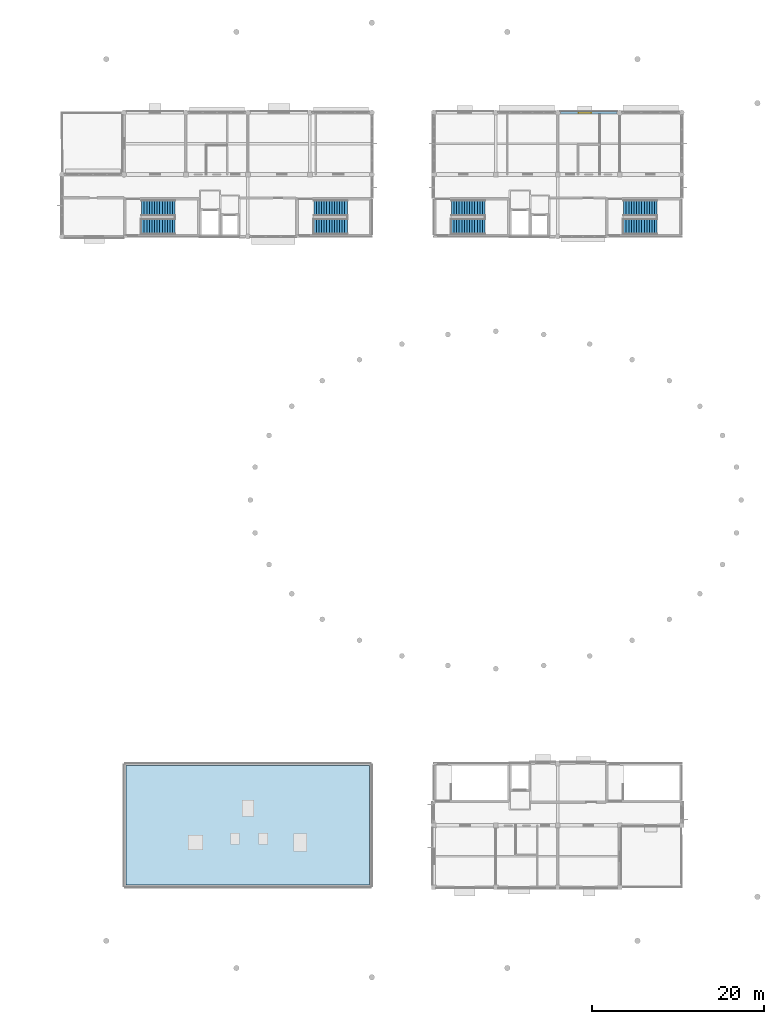
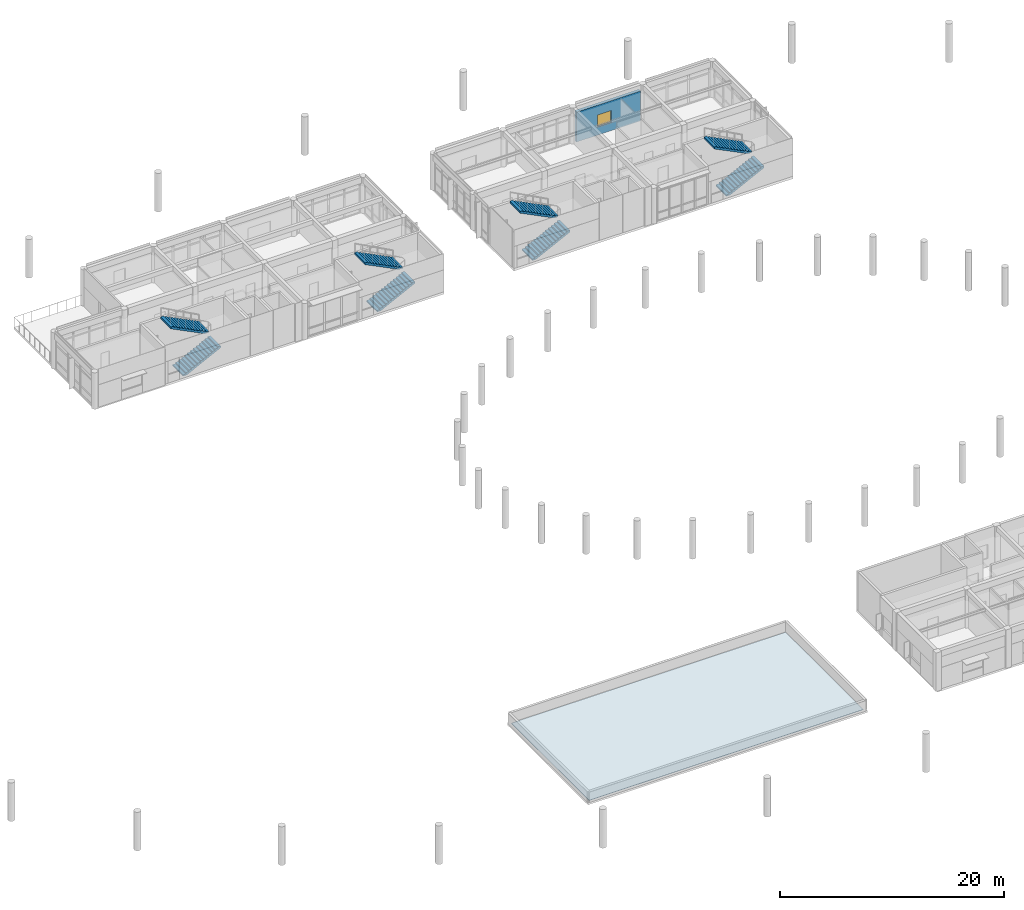
# One storey, part 16 of 29: 8 stair flights, 1 roof, 1 wall, 1 window, 1 opening, 4 elements without a shape of their own.
"""IFC4 building model written with IfcOpenShell, lengths in metres."""

import ifcopenshell
import ifcopenshell.guid

model = None  # the IFC model being written
_history = None  # IfcOwnerHistory: only IFC2X3 demands one
_inside = {}  # id of a spatial element -> (the spatial element, [elements in it])
_under = {}  # id of a project, library or spatial element -> (it, [spatial elements below it])
_declared = {}  # id of a project -> (the project, [libraries it declares])
_typed = {}  # id of a type object -> (the type object, [elements of that type])
_made_of = {}  # id of a material, layer set ... -> (it, [elements and type objects made of it])


def new_model(schema):
    """Start an empty IFC model of exactly this schema.

    Asked for "IFC4X3", IfcOpenShell would pick the latest addendum, in which some entities
    have other attributes; the version numbers below select the first issue.
    IFC2X3 requires an IfcOwnerHistory on every rooted entity: one is made here for all.
    """
    global model, _history
    if schema == "IFC4X3":
        model = ifcopenshell.file(schema_version=(4, 3, 0, 0))
    else:
        model = ifcopenshell.file(schema=schema)
    _inside.clear()
    _under.clear()
    _declared.clear()
    _typed.clear()
    _made_of.clear()
    _history = None
    if model.schema == "IFC2X3":
        org = make("IfcOrganization", Name="unknown")
        user = make(
            "IfcPersonAndOrganization",
            ThePerson=make("IfcPerson", FamilyName="unknown"),
            TheOrganization=org,
        )
        app = make(
            "IfcApplication",
            ApplicationDeveloper=org,
            Version="unknown",
            ApplicationFullName="unknown",
            ApplicationIdentifier="unknown",
        )
        _history = make(
            "IfcOwnerHistory",
            OwningUser=user,
            OwningApplication=app,
            ChangeAction="ADDED",
            CreationDate=0,
        )
    return model


def make(cls, **values):
    """One entity of the class cls with the attributes given. An attribute that is None is left unset."""
    return model.create_entity(
        cls, **{name: value for name, value in values.items() if value is not None}
    )


def rooted(cls, **values):
    """An entity with a GlobalId (a new one), such as an element, a storey or a relation."""
    return make(cls, GlobalId=ifcopenshell.guid.new(), OwnerHistory=_history, **values)


def si_unit(unit_type, name, prefix=None):
    """IfcSIUnit, for example si_unit("LENGTHUNIT", "METRE", prefix="MILLI")."""
    return make("IfcSIUnit", UnitType=unit_type, Prefix=prefix, Name=name)


def assignment(units):
    """IfcUnitAssignment: the units of a project."""
    return None if units is None else make("IfcUnitAssignment", Units=units)


def point(xyz):
    """IfcCartesianPoint."""
    return None if xyz is None else make("IfcCartesianPoint", Coordinates=xyz)


def direction(xyz):
    """IfcDirection."""
    return None if xyz is None else make("IfcDirection", DirectionRatios=xyz)


def frame(location, z_axis=None, x_axis=None):
    """IfcAxis2Placement3D, a coordinate frame: its origin and axes. An axis left out is left unset."""
    return make(
        "IfcAxis2Placement3D",
        Location=point(location),
        Axis=direction(z_axis),
        RefDirection=direction(x_axis),
    )


def frame_2d(location, x_axis=None):
    """IfcAxis2Placement2D, a coordinate frame in the plane: its origin and x axis."""
    return make(
        "IfcAxis2Placement2D", Location=point(location), RefDirection=direction(x_axis)
    )


def origin():
    """The frame at (0, 0, 0) with its axes left unset."""
    return frame((0.0, 0.0, 0.0))


def place(relative_to, where):
    """IfcLocalPlacement: puts the frame where relative to a parent placement (None: the world)."""
    return make(
        "IfcLocalPlacement", PlacementRelTo=relative_to, RelativePlacement=where
    )


def context(
    kind, dimensions, precision=None, world=None, true_north=None, identifier=None
):
    """IfcGeometricRepresentationContext, for example the 3D "Model" context."""
    return make(
        "IfcGeometricRepresentationContext",
        ContextIdentifier=identifier,
        ContextType=kind,
        CoordinateSpaceDimension=dimensions,
        Precision=precision,
        WorldCoordinateSystem=world,
        TrueNorth=true_north,
    )


def subcontext(parent, identifier, kind, view, scale=None):
    """IfcGeometricRepresentationSubContext, for example "Body" below "Model"."""
    return make(
        "IfcGeometricRepresentationSubContext",
        ContextIdentifier=identifier,
        ContextType=kind,
        ParentContext=parent,
        TargetScale=scale,
        TargetView=view,
    )


def project(units=None, contexts=None):
    """IfcProject with its units and contexts."""
    return rooted(
        "IfcProject",
        Name="project",
        RepresentationContexts=contexts,
        UnitsInContext=assignment(units),
    )


def spatial(cls, under=None, at=None, **own):
    """A site, building, storey or space (cls), placed at a placement, below another one or the project."""
    s = rooted(cls, ObjectPlacement=at, **own)
    if under is not None:
        _under.setdefault(under.id(), (under, []))[1].append(s)
    return s


def polyline(points):
    """IfcPolyline through the points."""
    return make("IfcPolyline", Points=[point(p) for p in points])


def profile(cls, at=None, kind="AREA", **sizes):
    """A parametric profile (cls). Its sizes go by their IFC names, for example OverallWidth=200.0."""
    return make(cls, ProfileType=kind, Position=at, **sizes)


def rectangle(**sizes):
    """IfcRectangleProfileDef."""
    return profile("IfcRectangleProfileDef", **sizes)


def outline(outer, holes=None, kind="AREA"):
    """IfcArbitraryClosedProfileDef: a profile drawn as a closed curve; with holes, ...WithVoids."""
    if holes is None:
        return make("IfcArbitraryClosedProfileDef", ProfileType=kind, OuterCurve=outer)
    return make(
        "IfcArbitraryProfileDefWithVoids",
        ProfileType=kind,
        OuterCurve=outer,
        InnerCurves=holes,
    )


def extrude(swept, where, along, depth):
    """IfcExtrudedAreaSolid: the profile swept, set in the frame where, extruded along a direction by depth."""
    return make(
        "IfcExtrudedAreaSolid",
        SweptArea=swept,
        Position=where,
        ExtrudedDirection=direction(along),
        Depth=depth,
    )


def shape(context_of_items, identifier, shape_type, items):
    """IfcShapeRepresentation: the items that make up one representation, for example the "Body"."""
    return make(
        "IfcShapeRepresentation",
        ContextOfItems=context_of_items,
        RepresentationIdentifier=identifier,
        RepresentationType=shape_type,
        Items=items,
    )


def material(Name=None, Category=None):
    """IfcMaterial."""
    return make("IfcMaterial", Name=Name, Category=Category)


def layer(
    of_material, thickness, ventilated=None, Name=None, Category=None, Priority=None
):
    """IfcMaterialLayer: one layer of a wall or slab, of a material (None: an air gap)."""
    return make(
        "IfcMaterialLayer",
        Material=of_material,
        LayerThickness=thickness,
        IsVentilated=ventilated,
        Name=Name,
        Category=Category,
        Priority=Priority,
    )


def layer_set(layers, Name=None):
    """IfcMaterialLayerSet."""
    return make("IfcMaterialLayerSet", MaterialLayers=layers, LayerSetName=Name)


def made_of(thing, what):
    """Note that an element or type object is made of a material, layer set ...; save() writes the relation."""
    if what is not None:
        _made_of.setdefault(what.id(), (what, []))[1].append(thing)
    return thing


def type_object(cls, material=None, **own):
    """A type object (cls), such as IfcWallType, which elements share."""
    return made_of(rooted(cls, **own), material)


def element(
    cls,
    number,
    at=None,
    inside=None,
    cuts=None,
    type_object=None,
    material=None,
    context=None,
    identifier="Body",
    shape_type=None,
    held_by="IfcProductDefinitionShape",
    body=None,
    shapes=None,
    **own,
):
    """One element of the class cls, such as IfcWall. Its Tag is "e" and its number.

    at: its placement. inside: the storey or other place that contains it. cuts: it is an
    opening in that element (IfcRelVoidsElement). A single representation is given by context,
    identifier, shape_type and body (its items); several are given by shapes. held_by: the class
    of the entity that holds the representations. save() writes the other relations.
    """
    e = rooted(cls, Tag="e%d" % number, ObjectPlacement=at, **own)
    if body is not None:
        shapes = [shape(context, identifier, shape_type, body)]
    if shapes is not None:
        e.Representation = make(held_by, Representations=shapes)
    if inside is not None:
        _inside.setdefault(inside.id(), (inside, []))[1].append(e)
    if cuts is not None:
        rooted(
            "IfcRelVoidsElement", RelatingBuildingElement=cuts, RelatedOpeningElement=e
        )
    if type_object is not None:
        _typed.setdefault(type_object.id(), (type_object, []))[1].append(e)
    return made_of(e, material)


def fill(opening, filler):
    """IfcRelFillsElement: the door or window that sits in an opening."""
    return rooted(
        "IfcRelFillsElement",
        RelatingOpeningElement=opening,
        RelatedBuildingElement=filler,
    )


def aggregate(whole, parts):
    """IfcRelAggregates: a whole, such as a stair, and the parts it consists of."""
    return rooted("IfcRelAggregates", RelatingObject=whole, RelatedObjects=parts)


def save(model, path):
    """Write the relations noted so far, then the file.

    IfcRelAggregates (storeys below a building ...), IfcRelContainedInSpatialStructure (elements
    in a storey), IfcRelDefinesByType, IfcRelAssociatesMaterial and IfcRelDeclares: one each for
    every whole, place, type object, material and project.
    """
    for whole, parts in _under.values():
        aggregate(whole, parts)
    for where, things in _inside.values():
        rooted(
            "IfcRelContainedInSpatialStructure",
            RelatedElements=things,
            RelatingStructure=where,
        )
    for kind, things in _typed.values():
        rooted("IfcRelDefinesByType", RelatedObjects=things, RelatingType=kind)
    for what, things in _made_of.values():
        rooted("IfcRelAssociatesMaterial", RelatedObjects=things, RelatingMaterial=what)
    for by, libraries in _declared.values():
        rooted("IfcRelDeclares", RelatingContext=by, RelatedDefinitions=libraries)
    model.write(path)


model = new_model("IFC4")

# Units and contexts
model_context = context("Model", 3, precision=1e-05, world=origin(), true_north=direction((0.0, 1.0)))
body_context = subcontext(model_context, "Body", "Model", "MODEL_VIEW")
ifc_project = project(units=[si_unit("LENGTHUNIT", "METRE"), si_unit("AREAUNIT", "SQUARE_METRE"), si_unit("VOLUMEUNIT", "CUBIC_METRE"), si_unit("PLANEANGLEUNIT", "RADIAN"), si_unit("MASSUNIT", "GRAM", prefix="KILO")], contexts=[model_context])

# Site, building, storey
site_placement = place(None, origin())
site = spatial("IfcSite", under=ifc_project, at=site_placement, CompositionType="ELEMENT")
building_placement = place(site_placement, origin())
building = spatial("IfcBuilding", under=site, at=building_placement, Name="Namkhue Oval Health Centre", CompositionType="ELEMENT")
storey_placement = place(building_placement, frame((0.0, 0.0, 18.0)))
storey = spatial("IfcBuildingStorey", under=building, at=storey_placement, Name="L04", CompositionType="ELEMENT", Elevation=18.0)

# Wall, opening, window
ifc_material_1 = material(Name="Autoclaved aerated concrete blockwork M7.5", Category="masonry")
ifc_layer_1 = layer(ifc_material_1, 0.320068359375)
ifc_layer_set_1 = layer_set([ifc_layer_1], Name="Autoclaved aerated concrete blockwork M7.5")
wall_type = type_object("IfcWallType", Name="EXTERIOR ENVELOPE WALL 320", PredefinedType="STANDARD", material=ifc_layer_set_1)
wall_placement = place(storey_placement, frame((114.905029296875, 104.39990234375, 0.0), z_axis=(0.0, 0.0, 1.0), x_axis=(-1.0, 0.0, 0.0)))
wall = element("IfcWall", 1, at=wall_placement, inside=storey, type_object=wall_type, Name="Volume V3 L04 Exterior Envelope Wall 79", PredefinedType="STANDARD", context=body_context, shape_type="SweptSolid", body=[
    extrude(rectangle(XDim=6.610107421875, YDim=0.320068359375, at=frame_2d((3.30517578125, 0.0))), origin(), (0.0, 0.0, 1.0), 3.264892578125),
])
opening_placement = place(wall_placement, frame((3.030029296875, 0.0, 0.89990234375)))
opening = element("IfcOpeningElement", 2, at=opening_placement, cuts=wall, Name="Opening WN-06", PredefinedType="OPENING", context=body_context, shape_type="SweptSolid", body=[
    extrude(rectangle(XDim=1.449951171875, YDim=1.300048828125, at=frame_2d((0.72509765625, 0.64990234375))), frame((0.0, 0.169921875, 0.0), z_axis=(0.0, -1.0, 0.0), x_axis=(1.0, 0.0, 0.0)), (0.0, 0.0, 1.0), 0.340087890625),
])
ifc_material_2 = material(Name="Thermally broken low-E laminated double glazing", Category="glass")
window_type = type_object("IfcWindowType", Name="EXTERIOR WINDOW 1450X1300", PartitioningType="SINGLE_PANEL", PredefinedType="WINDOW", material=ifc_material_2)
window_placement = place(opening_placement, origin())
window = element("IfcWindow", 3, at=window_placement, inside=storey, type_object=window_type, Name="Volume V3 L04 Exterior Window 51", OverallHeight=1.300048828125, OverallWidth=1.449951171875, PartitioningType="SINGLE_PANEL", PredefinedType="WINDOW", context=body_context, shape_type="SweptSolid", body=[
    extrude(rectangle(XDim=1.449951171875, YDim=1.300048828125, at=frame_2d((0.72509765625, 0.64990234375))), frame((0.0, 0.030029296875, 0.0), z_axis=(0.0, -1.0, 0.0), x_axis=(1.0, 0.0, 0.0)), (0.0, 0.0, 1.0), 0.06005859375),
])
fill(opening, window)

# Stair, stair flights
ifc_material_3 = material(Name="Reinforced concrete C30/37 (TCVN B35)", Category="concrete")
stair_type = type_object("IfcStairType", Name="DOGLEG EXIT STAIR H4200", PredefinedType="HALF_TURN_STAIR", material=ifc_material_3)
stair_1_placement = place(storey_placement, origin())
stair_1 = element("IfcStair", 4, at=stair_1_placement, inside=storey, type_object=stair_type, Name="Protected Exit Stair ST-03 L04", PredefinedType="HALF_TURN_STAIR")
stair_flight_type = type_object("IfcStairFlightType", Name="STRAIGHT STAIR FLIGHT 1850", PredefinedType="STRAIGHT", material=ifc_material_3)
stair_flight_1_placement = place(storey_placement, frame((59.64990234375, 91.175048828125, 0.0), z_axis=(0.0, 0.0, 1.0), x_axis=(1.0, 0.0, 0.0)))
stair_flight_1 = element("IfcStairFlight", 5, at=stair_flight_1_placement, type_object=stair_flight_type, Name="ST-03 flight 1", NumberOfRisers=14, NumberOfTreads=13, PredefinedType="STRAIGHT", RiserHeight=0.15, TreadLength=0.3, context=body_context, shape_type="SweptSolid", body=[
    extrude(outline(polyline([(0.0, 0.0), (0.0, 0.14990234375), (0.300048828125, 0.14990234375), (0.300048828125, 0.300048828125), (0.60009765625, 0.300048828125), (0.60009765625, 0.449951171875), (0.89990234375, 0.449951171875), (0.89990234375, 0.60009765625), (1.199951171875, 0.60009765625), (1.199951171875, 0.75), (1.5, 0.75), (1.5, 0.89990234375), (1.800048828125, 0.89990234375), (1.800048828125, 1.050048828125), (2.10009765625, 1.050048828125), (2.10009765625, 1.199951171875), (2.39990234375, 1.199951171875), (2.39990234375, 1.35009765625), (2.699951171875, 1.35009765625), (2.699951171875, 1.5), (3.0, 1.5), (3.0, 1.64990234375), (3.300048828125, 1.64990234375), (3.300048828125, 1.800048828125), (3.60009765625, 1.800048828125), (3.60009765625, 1.949951171875), (3.89990234375, 1.949951171875), (3.89990234375, 2.10009765625), (3.89990234375, 1.748779296875), (0.40234375, 0.0), (0.0, 0.0)])), frame((0.0, 0.925048828125, 0.0), z_axis=(0.0, -1.0, 0.0), x_axis=(1.0, 0.0, 0.0)), (0.0, 0.0, 1.0), 1.85009765625),
])
stair_flight_2_placement = place(storey_placement, frame((63.550048828125, 93.324951171875, 2.10009765625), z_axis=(0.0, 0.0, 1.0), x_axis=(-1.0, 0.0, 0.0)))
stair_flight_2 = element("IfcStairFlight", 6, at=stair_flight_2_placement, type_object=stair_flight_type, Name="ST-03 flight 2", NumberOfRisers=14, NumberOfTreads=13, PredefinedType="STRAIGHT", RiserHeight=0.15, TreadLength=0.3, context=body_context, shape_type="SweptSolid", body=[
    extrude(outline(polyline([(0.0, 0.0), (0.0, 0.14990234375), (0.300048828125, 0.14990234375), (0.300048828125, 0.300048828125), (0.60009765625, 0.300048828125), (0.60009765625, 0.449951171875), (0.89990234375, 0.449951171875), (0.89990234375, 0.60009765625), (1.199951171875, 0.60009765625), (1.199951171875, 0.75), (1.5, 0.75), (1.5, 0.89990234375), (1.800048828125, 0.89990234375), (1.800048828125, 1.050048828125), (2.10009765625, 1.050048828125), (2.10009765625, 1.199951171875), (2.39990234375, 1.199951171875), (2.39990234375, 1.35009765625), (2.699951171875, 1.35009765625), (2.699951171875, 1.5), (3.0, 1.5), (3.0, 1.64990234375), (3.300048828125, 1.64990234375), (3.300048828125, 1.800048828125), (3.60009765625, 1.800048828125), (3.60009765625, 1.949951171875), (3.89990234375, 1.949951171875), (3.89990234375, 2.10009765625), (3.89990234375, 1.748779296875), (0.40234375, 0.0), (0.0, 0.0)])), frame((0.0, 0.925048828125, 0.0), z_axis=(0.0, -1.0, 0.0), x_axis=(1.0, 0.0, 0.0)), (0.0, 0.0, 1.0), 1.85009765625),
])
aggregate(stair_1, [stair_flight_1, stair_flight_2])

stair_2_placement = place(storey_placement, origin())
stair_2 = element("IfcStair", 7, at=stair_2_placement, inside=storey, type_object=stair_type, Name="Protected Exit Stair ST-04 L04", PredefinedType="HALF_TURN_STAIR")
stair_flight_3_placement = place(storey_placement, frame((79.64990234375, 91.175048828125, 0.0), z_axis=(0.0, 0.0, 1.0), x_axis=(1.0, 0.0, 0.0)))
stair_flight_3 = element("IfcStairFlight", 8, at=stair_flight_3_placement, type_object=stair_flight_type, Name="ST-04 flight 1", NumberOfRisers=14, NumberOfTreads=13, PredefinedType="STRAIGHT", RiserHeight=0.15, TreadLength=0.3, context=body_context, shape_type="SweptSolid", body=[
    extrude(outline(polyline([(0.0, 0.0), (0.0, 0.14990234375), (0.300048828125, 0.14990234375), (0.300048828125, 0.300048828125), (0.60009765625, 0.300048828125), (0.60009765625, 0.449951171875), (0.89990234375, 0.449951171875), (0.89990234375, 0.60009765625), (1.199951171875, 0.60009765625), (1.199951171875, 0.75), (1.5, 0.75), (1.5, 0.89990234375), (1.800048828125, 0.89990234375), (1.800048828125, 1.050048828125), (2.10009765625, 1.050048828125), (2.10009765625, 1.199951171875), (2.39990234375, 1.199951171875), (2.39990234375, 1.35009765625), (2.699951171875, 1.35009765625), (2.699951171875, 1.5), (3.0, 1.5), (3.0, 1.64990234375), (3.300048828125, 1.64990234375), (3.300048828125, 1.800048828125), (3.60009765625, 1.800048828125), (3.60009765625, 1.949951171875), (3.89990234375, 1.949951171875), (3.89990234375, 2.10009765625), (3.89990234375, 1.748779296875), (0.40234375, 0.0), (0.0, 0.0)])), frame((0.0, 0.925048828125, 0.0), z_axis=(0.0, -1.0, 0.0), x_axis=(1.0, 0.0, 0.0)), (0.0, 0.0, 1.0), 1.85009765625),
])
stair_flight_4_placement = place(storey_placement, frame((83.550048828125, 93.324951171875, 2.10009765625), z_axis=(0.0, 0.0, 1.0), x_axis=(-1.0, 0.0, 0.0)))
stair_flight_4 = element("IfcStairFlight", 9, at=stair_flight_4_placement, type_object=stair_flight_type, Name="ST-04 flight 2", NumberOfRisers=14, NumberOfTreads=13, PredefinedType="STRAIGHT", RiserHeight=0.15, TreadLength=0.3, context=body_context, shape_type="SweptSolid", body=[
    extrude(outline(polyline([(0.0, 0.0), (0.0, 0.14990234375), (0.300048828125, 0.14990234375), (0.300048828125, 0.300048828125), (0.60009765625, 0.300048828125), (0.60009765625, 0.449951171875), (0.89990234375, 0.449951171875), (0.89990234375, 0.60009765625), (1.199951171875, 0.60009765625), (1.199951171875, 0.75), (1.5, 0.75), (1.5, 0.89990234375), (1.800048828125, 0.89990234375), (1.800048828125, 1.050048828125), (2.10009765625, 1.050048828125), (2.10009765625, 1.199951171875), (2.39990234375, 1.199951171875), (2.39990234375, 1.35009765625), (2.699951171875, 1.35009765625), (2.699951171875, 1.5), (3.0, 1.5), (3.0, 1.64990234375), (3.300048828125, 1.64990234375), (3.300048828125, 1.800048828125), (3.60009765625, 1.800048828125), (3.60009765625, 1.949951171875), (3.89990234375, 1.949951171875), (3.89990234375, 2.10009765625), (3.89990234375, 1.748779296875), (0.40234375, 0.0), (0.0, 0.0)])), frame((0.0, 0.925048828125, 0.0), z_axis=(0.0, -1.0, 0.0), x_axis=(1.0, 0.0, 0.0)), (0.0, 0.0, 1.0), 1.85009765625),
])
aggregate(stair_2, [stair_flight_3, stair_flight_4])

stair_3_placement = place(storey_placement, origin())
stair_3 = element("IfcStair", 10, at=stair_3_placement, inside=storey, type_object=stair_type, Name="Protected Exit Stair ST-05 L04", PredefinedType="HALF_TURN_STAIR")
stair_flight_5_placement = place(storey_placement, frame((95.64990234375, 91.175048828125, 0.0), z_axis=(0.0, 0.0, 1.0), x_axis=(1.0, 0.0, 0.0)))
stair_flight_5 = element("IfcStairFlight", 11, at=stair_flight_5_placement, type_object=stair_flight_type, Name="ST-05 flight 1", NumberOfRisers=14, NumberOfTreads=13, PredefinedType="STRAIGHT", RiserHeight=0.15, TreadLength=0.3, context=body_context, shape_type="SweptSolid", body=[
    extrude(outline(polyline([(0.0, 0.0), (0.0, 0.14990234375), (0.300048828125, 0.14990234375), (0.300048828125, 0.300048828125), (0.60009765625, 0.300048828125), (0.60009765625, 0.449951171875), (0.89990234375, 0.449951171875), (0.89990234375, 0.60009765625), (1.199951171875, 0.60009765625), (1.199951171875, 0.75), (1.5, 0.75), (1.5, 0.89990234375), (1.800048828125, 0.89990234375), (1.800048828125, 1.050048828125), (2.10009765625, 1.050048828125), (2.10009765625, 1.199951171875), (2.39990234375, 1.199951171875), (2.39990234375, 1.35009765625), (2.699951171875, 1.35009765625), (2.699951171875, 1.5), (3.0, 1.5), (3.0, 1.64990234375), (3.300048828125, 1.64990234375), (3.300048828125, 1.800048828125), (3.60009765625, 1.800048828125), (3.60009765625, 1.949951171875), (3.89990234375, 1.949951171875), (3.89990234375, 2.10009765625), (3.89990234375, 1.748779296875), (0.40234375, 0.0), (0.0, 0.0)])), frame((0.0, 0.925048828125, 0.0), z_axis=(0.0, -1.0, 0.0), x_axis=(1.0, 0.0, 0.0)), (0.0, 0.0, 1.0), 1.85009765625),
])
stair_flight_6_placement = place(storey_placement, frame((99.550048828125, 93.324951171875, 2.10009765625), z_axis=(0.0, 0.0, 1.0), x_axis=(-1.0, 0.0, 0.0)))
stair_flight_6 = element("IfcStairFlight", 12, at=stair_flight_6_placement, type_object=stair_flight_type, Name="ST-05 flight 2", NumberOfRisers=14, NumberOfTreads=13, PredefinedType="STRAIGHT", RiserHeight=0.15, TreadLength=0.3, context=body_context, shape_type="SweptSolid", body=[
    extrude(outline(polyline([(0.0, 0.0), (0.0, 0.14990234375), (0.300048828125, 0.14990234375), (0.300048828125, 0.300048828125), (0.60009765625, 0.300048828125), (0.60009765625, 0.449951171875), (0.89990234375, 0.449951171875), (0.89990234375, 0.60009765625), (1.199951171875, 0.60009765625), (1.199951171875, 0.75), (1.5, 0.75), (1.5, 0.89990234375), (1.800048828125, 0.89990234375), (1.800048828125, 1.050048828125), (2.10009765625, 1.050048828125), (2.10009765625, 1.199951171875), (2.39990234375, 1.199951171875), (2.39990234375, 1.35009765625), (2.699951171875, 1.35009765625), (2.699951171875, 1.5), (3.0, 1.5), (3.0, 1.64990234375), (3.300048828125, 1.64990234375), (3.300048828125, 1.800048828125), (3.60009765625, 1.800048828125), (3.60009765625, 1.949951171875), (3.89990234375, 1.949951171875), (3.89990234375, 2.10009765625), (3.89990234375, 1.748779296875), (0.40234375, 0.0), (0.0, 0.0)])), frame((0.0, 0.925048828125, 0.0), z_axis=(0.0, -1.0, 0.0), x_axis=(1.0, 0.0, 0.0)), (0.0, 0.0, 1.0), 1.85009765625),
])
aggregate(stair_3, [stair_flight_5, stair_flight_6])

stair_4_placement = place(storey_placement, origin())
stair_4 = element("IfcStair", 13, at=stair_4_placement, inside=storey, type_object=stair_type, Name="Protected Exit Stair ST-06 L04", PredefinedType="HALF_TURN_STAIR")
stair_flight_7_placement = place(storey_placement, frame((115.64990234375, 91.175048828125, 0.0), z_axis=(0.0, 0.0, 1.0), x_axis=(1.0, 0.0, 0.0)))
stair_flight_7 = element("IfcStairFlight", 14, at=stair_flight_7_placement, type_object=stair_flight_type, Name="ST-06 flight 1", NumberOfRisers=14, NumberOfTreads=13, PredefinedType="STRAIGHT", RiserHeight=0.15, TreadLength=0.3, context=body_context, shape_type="SweptSolid", body=[
    extrude(outline(polyline([(0.0, 0.0), (0.0, 0.14990234375), (0.300048828125, 0.14990234375), (0.300048828125, 0.300048828125), (0.60009765625, 0.300048828125), (0.60009765625, 0.449951171875), (0.89990234375, 0.449951171875), (0.89990234375, 0.60009765625), (1.199951171875, 0.60009765625), (1.199951171875, 0.75), (1.5, 0.75), (1.5, 0.89990234375), (1.800048828125, 0.89990234375), (1.800048828125, 1.050048828125), (2.10009765625, 1.050048828125), (2.10009765625, 1.199951171875), (2.39990234375, 1.199951171875), (2.39990234375, 1.35009765625), (2.699951171875, 1.35009765625), (2.699951171875, 1.5), (3.0, 1.5), (3.0, 1.64990234375), (3.300048828125, 1.64990234375), (3.300048828125, 1.800048828125), (3.60009765625, 1.800048828125), (3.60009765625, 1.949951171875), (3.89990234375, 1.949951171875), (3.89990234375, 2.10009765625), (3.89990234375, 1.748779296875), (0.40234375, 0.0), (0.0, 0.0)])), frame((0.0, 0.925048828125, 0.0), z_axis=(0.0, -1.0, 0.0), x_axis=(1.0, 0.0, 0.0)), (0.0, 0.0, 1.0), 1.85009765625),
])
stair_flight_8_placement = place(storey_placement, frame((119.550048828125, 93.324951171875, 2.10009765625), z_axis=(0.0, 0.0, 1.0), x_axis=(-1.0, 0.0, 0.0)))
stair_flight_8 = element("IfcStairFlight", 15, at=stair_flight_8_placement, type_object=stair_flight_type, Name="ST-06 flight 2", NumberOfRisers=14, NumberOfTreads=13, PredefinedType="STRAIGHT", RiserHeight=0.15, TreadLength=0.3, context=body_context, shape_type="SweptSolid", body=[
    extrude(outline(polyline([(0.0, 0.0), (0.0, 0.14990234375), (0.300048828125, 0.14990234375), (0.300048828125, 0.300048828125), (0.60009765625, 0.300048828125), (0.60009765625, 0.449951171875), (0.89990234375, 0.449951171875), (0.89990234375, 0.60009765625), (1.199951171875, 0.60009765625), (1.199951171875, 0.75), (1.5, 0.75), (1.5, 0.89990234375), (1.800048828125, 0.89990234375), (1.800048828125, 1.050048828125), (2.10009765625, 1.050048828125), (2.10009765625, 1.199951171875), (2.39990234375, 1.199951171875), (2.39990234375, 1.35009765625), (2.699951171875, 1.35009765625), (2.699951171875, 1.5), (3.0, 1.5), (3.0, 1.64990234375), (3.300048828125, 1.64990234375), (3.300048828125, 1.800048828125), (3.60009765625, 1.800048828125), (3.60009765625, 1.949951171875), (3.89990234375, 1.949951171875), (3.89990234375, 2.10009765625), (3.89990234375, 1.748779296875), (0.40234375, 0.0), (0.0, 0.0)])), frame((0.0, 0.925048828125, 0.0), z_axis=(0.0, -1.0, 0.0), x_axis=(1.0, 0.0, 0.0)), (0.0, 0.0, 1.0), 1.85009765625),
])
aggregate(stair_4, [stair_flight_7, stair_flight_8])

# Roof
ifc_material_4 = material(Name="Standing-seam aluminium-zinc insulated roofing", Category="aluminium")
ifc_layer_2 = layer(ifc_material_4, 0.0400390625)
ifc_layer_set_2 = layer_set([ifc_layer_2], Name="Standing-seam aluminium-zinc insulated roofing")
roof_type = type_object("IfcRoofType", Name="WING INSULATED FLAT ROOF ASSEMBLY", PredefinedType="FLAT_ROOF", material=ifc_layer_set_2)
roof_placement = place(storey_placement, frame((0.0, 0.0, 0.215087890625)))
element("IfcRoof", 16, at=roof_placement, inside=storey, type_object=roof_type, Name="Volume V4 L04 Insulated Flat Roof Assembly 1", PredefinedType="FLAT_ROOF", context=body_context, shape_type="SweptSolid", body=[
    extrude(outline(polyline([(57.860107421875, 14.659912109375), (57.860107421875, 28.5400390625), (86.139892578125, 28.5400390625), (86.139892578125, 14.659912109375), (57.860107421875, 14.659912109375)])), origin(), (0.0, 0.0, 1.0), 0.039794921875),
])

save(model, "model.ifc")
